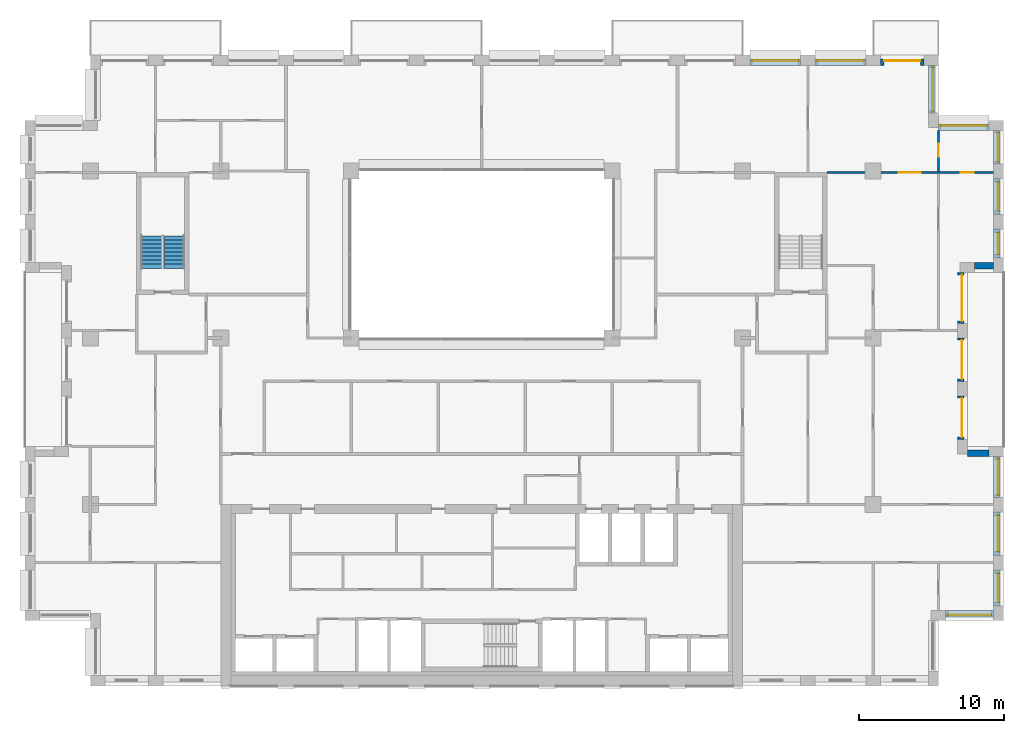
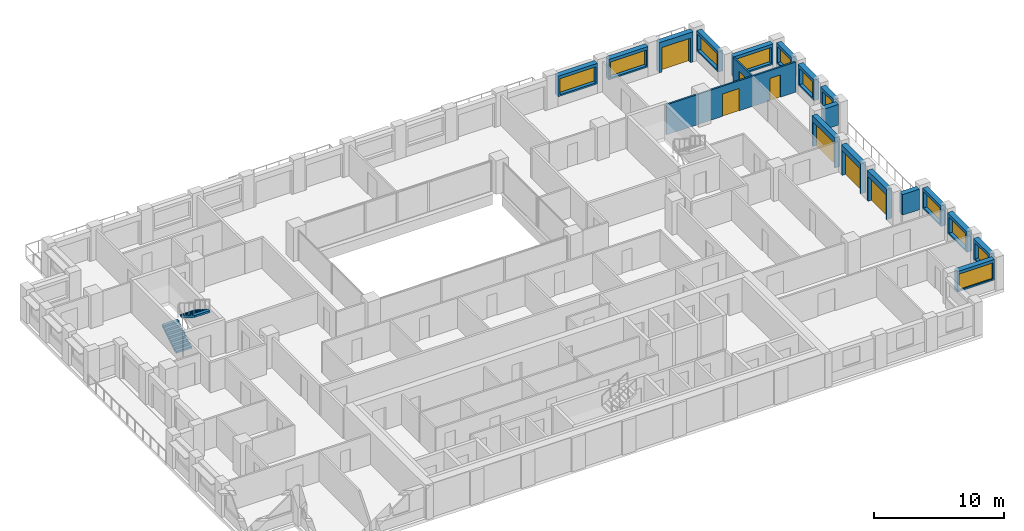
# One storey, part 14 of 16: 19 walls, 11 windows, 7 doors, 2 stair flights, 18 openings, 1 element without a shape of its own.
"""IFC4 building model written with IfcOpenShell, lengths in metres."""

from ifc_helpers import new_model, si_unit, direction, frame, frame_2d, origin, place, context, subcontext, project, spatial, polyline, rectangle, outline, extrude, material, layer, layer_set, type_object, element, fill, aggregate, save


model = new_model("IFC4")

# Units and contexts
model_context = context("Model", 3, precision=1e-05, world=origin(), true_north=direction((0.0, 1.0)))
body_context = subcontext(model_context, "Body", "Model", "MODEL_VIEW")
ifc_project = project(units=[si_unit("LENGTHUNIT", "METRE"), si_unit("AREAUNIT", "SQUARE_METRE"), si_unit("VOLUMEUNIT", "CUBIC_METRE"), si_unit("PLANEANGLEUNIT", "RADIAN"), si_unit("MASSUNIT", "GRAM", prefix="KILO")], contexts=[model_context])

# Site, building, storey
site_placement = place(None, origin())
site = spatial("IfcSite", under=ifc_project, at=site_placement, CompositionType="ELEMENT")
building_placement = place(site_placement, origin())
building = spatial("IfcBuilding", under=site, at=building_placement, Name="Brigalow Station Residences", CompositionType="ELEMENT")
storey_placement = place(building_placement, frame((0.0, 0.0, 160.199951171875)))
storey = spatial("IfcBuildingStorey", under=building, at=storey_placement, Name="L46", CompositionType="ELEMENT", Elevation=160.199951171875)

# Wall, opening, window
ifc_material_1 = material(Name="Clay brick masonry", Category="masonry")
ifc_layer_1 = layer(ifc_material_1, 0.449951171875)
ifc_layer_set_1 = layer_set([ifc_layer_1], Name="BRICK INFILL WALL 450")
wall_type_1 = type_object("IfcWallType", Name="BRICK INFILL WALL 450", PredefinedType="SOLIDWALL", material=ifc_layer_set_1)
wall_1_placement = place(storey_placement, frame((68.0, 4.97509765625, 0.900146484375), z_axis=(0.0, 0.0, 1.0), x_axis=(1.0, 0.0, 0.0)))
wall_1 = element("IfcWall", 1, at=wall_1_placement, inside=storey, type_object=wall_type_1, Name="L46/ewall/W-L46-8", PredefinedType="SOLIDWALL", context=body_context, shape_type="SweptSolid", body=[
    extrude(rectangle(XDim=3.300048828125, YDim=0.449951171875, at=frame_2d((1.64990234375, 0.0))), origin(), (0.0, 0.0, 1.0), 1.929931640625),
])
opening_1_placement = place(wall_1_placement, frame((0.14990234375, 0.0, 0.14990234375)))
opening_1 = element("IfcOpeningElement", 2, at=opening_1_placement, cuts=wall_1, Name="Opening WT-2", PredefinedType="OPENING", context=body_context, shape_type="SweptSolid", body=[
    extrude(rectangle(XDim=3.0, YDim=1.5, at=frame_2d((1.5, 0.75))), frame((0.0, 0.23486328125, 0.0), z_axis=(0.0, -1.0, 0.0), x_axis=(1.0, 0.0, 0.0)), (0.0, 0.0, 1.0), 0.469970703125),
])
ifc_material_2 = material(Name="Anodised aluminium frame with double glazing", Category="aluminium")
window_type_1 = type_object("IfcWindowType", Name="WINDOW 3000x1500", PartitioningType="SINGLE_PANEL", PredefinedType="WINDOW", material=ifc_material_2)
window_1_placement = place(opening_1_placement, origin())
window_1 = element("IfcWindow", 3, at=window_1_placement, inside=storey, type_object=window_type_1, Name="L46/window/W-L46-8", OverallHeight=1.5, OverallWidth=3.0, PartitioningType="SINGLE_PANEL", PredefinedType="WINDOW", context=body_context, shape_type="SweptSolid", body=[
    extrude(rectangle(XDim=3.0, YDim=1.5, at=frame_2d((1.5, 0.75))), frame((0.0, -0.06494140625, 0.0), z_axis=(0.0, -1.0, 0.0), x_axis=(1.0, 0.0, 0.0)), (0.0, 0.0, 1.0), 0.06005859375),
])
fill(opening_1, window_1)

wall_2_placement = place(storey_placement, frame((71.52490234375, 5.5, 0.900146484375), z_axis=(0.0, 0.0, 1.0), x_axis=(0.0, 1.0, 0.0)))
wall_2 = element("IfcWall", 4, at=wall_2_placement, inside=storey, type_object=wall_type_1, Name="L46/ewall/W-L46-9", PredefinedType="SOLIDWALL", context=body_context, shape_type="SweptSolid", body=[
    extrude(rectangle(XDim=2.5, YDim=0.449951171875, at=frame_2d((1.25, 0.0))), origin(), (0.0, 0.0, 1.0), 1.929931640625),
])
opening_2_placement = place(wall_2_placement, frame((0.25, 0.0, 0.14990234375)))
opening_2 = element("IfcOpeningElement", 5, at=opening_2_placement, cuts=wall_2, Name="Opening WT-7", PredefinedType="OPENING", context=body_context, shape_type="SweptSolid", body=[
    extrude(rectangle(XDim=2.0, YDim=1.5, at=frame_2d((1.0, 0.75))), frame((0.0, 0.23486328125, 0.0), z_axis=(0.0, -1.0, 0.0), x_axis=(1.0, 0.0, 0.0)), (0.0, 0.0, 1.0), 0.469970703125),
])
ifc_material_3 = material(Name="Anodised aluminium frame with double glazing", Category="aluminium")
window_type_2 = type_object("IfcWindowType", Name="WINDOW 2000x1500", PartitioningType="SINGLE_PANEL", PredefinedType="WINDOW", material=ifc_material_3)
window_2_placement = place(opening_2_placement, origin())
window_2 = element("IfcWindow", 6, at=window_2_placement, inside=storey, type_object=window_type_2, Name="L46/window/W-L46-9", OverallHeight=1.5, OverallWidth=2.0, PartitioningType="SINGLE_PANEL", PredefinedType="WINDOW", context=body_context, shape_type="SweptSolid", body=[
    extrude(rectangle(XDim=2.0, YDim=1.5, at=frame_2d((1.0, 0.75))), frame((0.0, -0.06494140625, 0.0), z_axis=(0.0, -1.0, 0.0), x_axis=(1.0, 0.0, 0.0)), (0.0, 0.0, 1.0), 0.06005859375),
])
fill(opening_2, window_2)

wall_3_placement = place(storey_placement, frame((71.52490234375, 9.0, 0.900146484375), z_axis=(0.0, 0.0, 1.0), x_axis=(0.0, 1.0, 0.0)))
wall_3 = element("IfcWall", 7, at=wall_3_placement, inside=storey, type_object=wall_type_1, Name="L46/ewall/W-L46-10", PredefinedType="SOLIDWALL", context=body_context, shape_type="SweptSolid", body=[
    extrude(rectangle(XDim=3.0, YDim=0.449951171875, at=frame_2d((1.5, 0.0))), origin(), (0.0, 0.0, 1.0), 1.929931640625),
])
opening_3_placement = place(wall_3_placement, frame((0.25, 0.0, 0.14990234375)))
opening_3 = element("IfcOpeningElement", 8, at=opening_3_placement, cuts=wall_3, Name="Opening WT-5", PredefinedType="OPENING", context=body_context, shape_type="SweptSolid", body=[
    extrude(rectangle(XDim=2.5, YDim=1.5, at=frame_2d((1.25, 0.75))), frame((0.0, 0.23486328125, 0.0), z_axis=(0.0, -1.0, 0.0), x_axis=(1.0, 0.0, 0.0)), (0.0, 0.0, 1.0), 0.469970703125),
])
ifc_material_4 = material(Name="Anodised aluminium frame with double glazing", Category="aluminium")
window_type_3 = type_object("IfcWindowType", Name="WINDOW 2500x1500", PartitioningType="SINGLE_PANEL", PredefinedType="WINDOW", material=ifc_material_4)
window_3_placement = place(opening_3_placement, origin())
window_3 = element("IfcWindow", 9, at=window_3_placement, inside=storey, type_object=window_type_3, Name="L46/window/W-L46-10", OverallHeight=1.5, OverallWidth=2.5, PartitioningType="SINGLE_PANEL", PredefinedType="WINDOW", context=body_context, shape_type="SweptSolid", body=[
    extrude(rectangle(XDim=2.5, YDim=1.5, at=frame_2d((1.25, 0.75))), frame((0.0, -0.06494140625, 0.0), z_axis=(0.0, -1.0, 0.0), x_axis=(1.0, 0.0, 0.0)), (0.0, 0.0, 1.0), 0.06005859375),
])
fill(opening_3, window_3)

wall_4_placement = place(storey_placement, frame((71.52490234375, 13.0, 0.900146484375), z_axis=(0.0, 0.0, 1.0), x_axis=(0.0, 1.0, 0.0)))
wall_4 = element("IfcWall", 10, at=wall_4_placement, inside=storey, type_object=wall_type_1, Name="L46/ewall/W-L46-11", PredefinedType="SOLIDWALL", context=body_context, shape_type="SweptSolid", body=[
    extrude(rectangle(XDim=2.800048828125, YDim=0.449951171875, at=frame_2d((1.39990234375, 0.0))), origin(), (0.0, 0.0, 1.0), 1.929931640625),
])
opening_4_placement = place(wall_4_placement, frame((0.14990234375, 0.0, 0.14990234375)))
opening_4 = element("IfcOpeningElement", 11, at=opening_4_placement, cuts=wall_4, Name="Opening WT-5", PredefinedType="OPENING", context=body_context, shape_type="SweptSolid", body=[
    extrude(rectangle(XDim=2.5, YDim=1.5, at=frame_2d((1.25, 0.75))), frame((0.0, 0.23486328125, 0.0), z_axis=(0.0, -1.0, 0.0), x_axis=(1.0, 0.0, 0.0)), (0.0, 0.0, 1.0), 0.469970703125),
])
window_4_placement = place(opening_4_placement, origin())
window_4 = element("IfcWindow", 12, at=window_4_placement, inside=storey, type_object=window_type_3, Name="L46/window/W-L46-11", OverallHeight=1.5, OverallWidth=2.5, PartitioningType="SINGLE_PANEL", PredefinedType="WINDOW", context=body_context, shape_type="SweptSolid", body=[
    extrude(rectangle(XDim=2.5, YDim=1.5, at=frame_2d((1.25, 0.75))), frame((0.0, -0.06494140625, 0.0), z_axis=(0.0, -1.0, 0.0), x_axis=(1.0, 0.0, 0.0)), (0.0, 0.0, 1.0), 0.06005859375),
])
fill(opening_4, window_4)

# Wall
wall_5_placement = place(storey_placement, frame((71.0, 16.02490234375, 0.900146484375), z_axis=(0.0, 0.0, 1.0), x_axis=(-1.0, 0.0, 0.0)))
element("IfcWall", 13, at=wall_5_placement, inside=storey, type_object=wall_type_1, Name="L46/ewall/W-L46-12", PredefinedType="SOLIDWALL", context=body_context, shape_type="SweptSolid", body=[
    extrude(rectangle(XDim=1.5, YDim=0.449951171875, at=frame_2d((0.75, 0.0))), origin(), (0.0, 0.0, 1.0), 1.929931640625),
])

# Wall, opening, door
wall_6_placement = place(storey_placement, frame((69.02490234375, 17.0, 0.0), z_axis=(0.0, 0.0, 1.0), x_axis=(0.0, 1.0, 0.0)))
wall_6 = element("IfcWall", 14, at=wall_6_placement, inside=storey, type_object=wall_type_1, Name="L46/ewall/W-L46-13", PredefinedType="SOLIDWALL", context=body_context, shape_type="SweptSolid", body=[
    extrude(rectangle(XDim=3.0, YDim=0.449951171875, at=frame_2d((1.5, 0.0))), origin(), (0.0, 0.0, 1.0), 2.830078125),
])
opening_5_placement = place(wall_6_placement, frame((0.14990234375, 0.0, 0.0)))
opening_5 = element("IfcOpeningElement", 15, at=opening_5_placement, cuts=wall_6, Name="Opening D-B2700", PredefinedType="OPENING", context=body_context, shape_type="SweptSolid", body=[
    extrude(rectangle(XDim=2.699951171875, YDim=2.300048828125, at=frame_2d((1.35009765625, 1.14990234375))), frame((0.0, 0.23486328125, 0.0), z_axis=(0.0, -1.0, 0.0), x_axis=(1.0, 0.0, 0.0)), (0.0, 0.0, 1.0), 0.469970703125),
])
ifc_material_5 = material(Name="Anodised aluminium frame with double glazing", Category="aluminium")
door_type_1 = type_object("IfcDoorType", Name="BALCONY SLIDING DOOR 2700x2300", OperationType="SLIDING_TO_LEFT", PredefinedType="DOOR", material=ifc_material_5)
door_1_placement = place(opening_5_placement, origin())
door_1 = element("IfcDoor", 16, at=door_1_placement, inside=storey, type_object=door_type_1, Name="L46/balcony-door/W-L46-13", OperationType="SLIDING_TO_LEFT", OverallHeight=2.300048828125, OverallWidth=2.699951171875, PredefinedType="DOOR", context=body_context, shape_type="SweptSolid", body=[
    extrude(rectangle(XDim=2.699951171875, YDim=2.300048828125, at=frame_2d((1.35009765625, 1.14990234375))), frame((0.0, -0.06982421875, 0.0), z_axis=(0.0, -1.0, 0.0), x_axis=(1.0, 0.0, 0.0)), (0.0, 0.0, 1.0), 0.050048828125),
])
fill(opening_5, door_1)

wall_7_placement = place(storey_placement, frame((69.02490234375, 21.0, 0.0), z_axis=(0.0, 0.0, 1.0), x_axis=(0.0, 1.0, 0.0)))
wall_7 = element("IfcWall", 17, at=wall_7_placement, inside=storey, type_object=wall_type_1, Name="L46/ewall/W-L46-14", PredefinedType="SOLIDWALL", context=body_context, shape_type="SweptSolid", body=[
    extrude(rectangle(XDim=3.0, YDim=0.449951171875, at=frame_2d((1.5, 0.0))), origin(), (0.0, 0.0, 1.0), 2.830078125),
])
opening_6_placement = place(wall_7_placement, frame((0.14990234375, 0.0, 0.0)))
opening_6 = element("IfcOpeningElement", 18, at=opening_6_placement, cuts=wall_7, Name="Opening D-B2700", PredefinedType="OPENING", context=body_context, shape_type="SweptSolid", body=[
    extrude(rectangle(XDim=2.699951171875, YDim=2.300048828125, at=frame_2d((1.35009765625, 1.14990234375))), frame((0.0, 0.23486328125, 0.0), z_axis=(0.0, -1.0, 0.0), x_axis=(1.0, 0.0, 0.0)), (0.0, 0.0, 1.0), 0.469970703125),
])
door_2_placement = place(opening_6_placement, origin())
door_2 = element("IfcDoor", 19, at=door_2_placement, inside=storey, type_object=door_type_1, Name="L46/balcony-door/W-L46-14", OperationType="SLIDING_TO_LEFT", OverallHeight=2.300048828125, OverallWidth=2.699951171875, PredefinedType="DOOR", context=body_context, shape_type="SweptSolid", body=[
    extrude(rectangle(XDim=2.699951171875, YDim=2.300048828125, at=frame_2d((1.35009765625, 1.14990234375))), frame((0.0, -0.06982421875, 0.0), z_axis=(0.0, -1.0, 0.0), x_axis=(1.0, 0.0, 0.0)), (0.0, 0.0, 1.0), 0.050048828125),
])
fill(opening_6, door_2)

wall_8_placement = place(storey_placement, frame((69.02490234375, 25.0, 0.0), z_axis=(0.0, 0.0, 1.0), x_axis=(0.0, 1.0, 0.0)))
wall_8 = element("IfcWall", 20, at=wall_8_placement, inside=storey, type_object=wall_type_1, Name="L46/ewall/W-L46-15", PredefinedType="SOLIDWALL", context=body_context, shape_type="SweptSolid", body=[
    extrude(rectangle(XDim=3.5, YDim=0.449951171875, at=frame_2d((1.75, 0.0))), origin(), (0.0, 0.0, 1.0), 2.830078125),
])
opening_7_placement = place(wall_8_placement, frame((0.14990234375, 0.0, 0.0)))
opening_7 = element("IfcOpeningElement", 21, at=opening_7_placement, cuts=wall_8, Name="Opening D-B3200", PredefinedType="OPENING", context=body_context, shape_type="SweptSolid", body=[
    extrude(rectangle(XDim=3.199951171875, YDim=2.300048828125, at=frame_2d((1.60009765625, 1.14990234375))), frame((0.0, 0.23486328125, 0.0), z_axis=(0.0, -1.0, 0.0), x_axis=(1.0, 0.0, 0.0)), (0.0, 0.0, 1.0), 0.469970703125),
])
ifc_material_6 = material(Name="Anodised aluminium frame with double glazing", Category="aluminium")
door_type_2 = type_object("IfcDoorType", Name="BALCONY SLIDING DOOR 3200x2300", OperationType="SLIDING_TO_LEFT", PredefinedType="DOOR", material=ifc_material_6)
door_3_placement = place(opening_7_placement, origin())
door_3 = element("IfcDoor", 22, at=door_3_placement, inside=storey, type_object=door_type_2, Name="L46/balcony-door/W-L46-15", OperationType="SLIDING_TO_LEFT", OverallHeight=2.300048828125, OverallWidth=3.199951171875, PredefinedType="DOOR", context=body_context, shape_type="SweptSolid", body=[
    extrude(rectangle(XDim=3.199951171875, YDim=2.300048828125, at=frame_2d((1.60009765625, 1.14990234375))), frame((0.0, -0.06982421875, 0.0), z_axis=(0.0, -1.0, 0.0), x_axis=(1.0, 0.0, 0.0)), (0.0, 0.0, 1.0), 0.050048828125),
])
fill(opening_7, door_3)

# Wall
wall_9_placement = place(storey_placement, frame((70.0, 28.97509765625, 0.900146484375), z_axis=(0.0, 0.0, 1.0), x_axis=(1.0, 0.0, 0.0)))
element("IfcWall", 23, at=wall_9_placement, inside=storey, type_object=wall_type_1, Name="L46/ewall/W-L46-16", PredefinedType="SOLIDWALL", context=body_context, shape_type="SweptSolid", body=[
    extrude(rectangle(XDim=1.300048828125, YDim=0.449951171875, at=frame_2d((0.64990234375, 0.0))), origin(), (0.0, 0.0, 1.0), 1.929931640625),
])

# Wall, opening, window
wall_10_placement = place(storey_placement, frame((71.52490234375, 29.5, 0.900146484375), z_axis=(0.0, 0.0, 1.0), x_axis=(0.0, 1.0, 0.0)))
wall_10 = element("IfcWall", 24, at=wall_10_placement, inside=storey, type_object=wall_type_1, Name="L46/ewall/W-L46-17", PredefinedType="SOLIDWALL", context=body_context, shape_type="SweptSolid", body=[
    extrude(rectangle(XDim=2.0, YDim=0.449951171875, at=frame_2d((1.0, 0.0))), origin(), (0.0, 0.0, 1.0), 1.929931640625),
])
opening_8_placement = place(wall_10_placement, frame((0.25, 0.0, 0.14990234375)))
opening_8 = element("IfcOpeningElement", 25, at=opening_8_placement, cuts=wall_10, Name="Opening WT-1", PredefinedType="OPENING", context=body_context, shape_type="SweptSolid", body=[
    extrude(rectangle(XDim=1.5, YDim=1.5, at=frame_2d((0.75, 0.75))), frame((0.0, 0.23486328125, 0.0), z_axis=(0.0, -1.0, 0.0), x_axis=(1.0, 0.0, 0.0)), (0.0, 0.0, 1.0), 0.469970703125),
])
ifc_material_7 = material(Name="Anodised aluminium frame with double glazing", Category="aluminium")
window_type_4 = type_object("IfcWindowType", Name="WINDOW 1500x1500", PartitioningType="SINGLE_PANEL", PredefinedType="WINDOW", material=ifc_material_7)
window_5_placement = place(opening_8_placement, origin())
window_5 = element("IfcWindow", 26, at=window_5_placement, inside=storey, type_object=window_type_4, Name="L46/window/W-L46-17", OverallHeight=1.5, OverallWidth=1.5, PartitioningType="SINGLE_PANEL", PredefinedType="WINDOW", context=body_context, shape_type="SweptSolid", body=[
    extrude(rectangle(XDim=1.5, YDim=1.5, at=frame_2d((0.75, 0.75))), frame((0.0, -0.06494140625, 0.0), z_axis=(0.0, -1.0, 0.0), x_axis=(1.0, 0.0, 0.0)), (0.0, 0.0, 1.0), 0.06005859375),
])
fill(opening_8, window_5)

wall_11_placement = place(storey_placement, frame((71.52490234375, 32.5, 0.900146484375), z_axis=(0.0, 0.0, 1.0), x_axis=(0.0, 1.0, 0.0)))
wall_11 = element("IfcWall", 27, at=wall_11_placement, inside=storey, type_object=wall_type_1, Name="L46/ewall/W-L46-18", PredefinedType="SOLIDWALL", context=body_context, shape_type="SweptSolid", body=[
    extrude(rectangle(XDim=2.5, YDim=0.449951171875, at=frame_2d((1.25, 0.0))), origin(), (0.0, 0.0, 1.0), 1.929931640625),
])
opening_9_placement = place(wall_11_placement, frame((0.25, 0.0, 0.14990234375)))
opening_9 = element("IfcOpeningElement", 28, at=opening_9_placement, cuts=wall_11, Name="Opening WT-7", PredefinedType="OPENING", context=body_context, shape_type="SweptSolid", body=[
    extrude(rectangle(XDim=2.0, YDim=1.5, at=frame_2d((1.0, 0.75))), frame((0.0, 0.23486328125, 0.0), z_axis=(0.0, -1.0, 0.0), x_axis=(1.0, 0.0, 0.0)), (0.0, 0.0, 1.0), 0.469970703125),
])
window_6_placement = place(opening_9_placement, origin())
window_6 = element("IfcWindow", 29, at=window_6_placement, inside=storey, type_object=window_type_2, Name="L46/window/W-L46-18", OverallHeight=1.5, OverallWidth=2.0, PartitioningType="SINGLE_PANEL", PredefinedType="WINDOW", context=body_context, shape_type="SweptSolid", body=[
    extrude(rectangle(XDim=2.0, YDim=1.5, at=frame_2d((1.0, 0.75))), frame((0.0, -0.06494140625, 0.0), z_axis=(0.0, -1.0, 0.0), x_axis=(1.0, 0.0, 0.0)), (0.0, 0.0, 1.0), 0.06005859375),
])
fill(opening_9, window_6)

wall_12_placement = place(storey_placement, frame((71.52490234375, 36.0, 0.900146484375), z_axis=(0.0, 0.0, 1.0), x_axis=(0.0, 1.0, 0.0)))
wall_12 = element("IfcWall", 30, at=wall_12_placement, inside=storey, type_object=wall_type_1, Name="L46/ewall/W-L46-19", PredefinedType="SOLIDWALL", context=body_context, shape_type="SweptSolid", body=[
    extrude(rectangle(XDim=2.300048828125, YDim=0.449951171875, at=frame_2d((1.14990234375, 0.0))), origin(), (0.0, 0.0, 1.0), 1.929931640625),
])
opening_10_placement = place(wall_12_placement, frame((0.14990234375, 0.0, 0.14990234375)))
opening_10 = element("IfcOpeningElement", 31, at=opening_10_placement, cuts=wall_12, Name="Opening WT-7", PredefinedType="OPENING", context=body_context, shape_type="SweptSolid", body=[
    extrude(rectangle(XDim=2.0, YDim=1.5, at=frame_2d((1.0, 0.75))), frame((0.0, 0.23486328125, 0.0), z_axis=(0.0, -1.0, 0.0), x_axis=(1.0, 0.0, 0.0)), (0.0, 0.0, 1.0), 0.469970703125),
])
window_7_placement = place(opening_10_placement, origin())
window_7 = element("IfcWindow", 32, at=window_7_placement, inside=storey, type_object=window_type_2, Name="L46/window/W-L46-19", OverallHeight=1.5, OverallWidth=2.0, PartitioningType="SINGLE_PANEL", PredefinedType="WINDOW", context=body_context, shape_type="SweptSolid", body=[
    extrude(rectangle(XDim=2.0, YDim=1.5, at=frame_2d((1.0, 0.75))), frame((0.0, -0.06494140625, 0.0), z_axis=(0.0, -1.0, 0.0), x_axis=(1.0, 0.0, 0.0)), (0.0, 0.0, 1.0), 0.06005859375),
])
fill(opening_10, window_7)

wall_13_placement = place(storey_placement, frame((71.0, 38.52490234375, 0.900146484375), z_axis=(0.0, 0.0, 1.0), x_axis=(-1.0, 0.0, 0.0)))
wall_13 = element("IfcWall", 33, at=wall_13_placement, inside=storey, type_object=wall_type_1, Name="L46/ewall/W-L46-20", PredefinedType="SOLIDWALL", context=body_context, shape_type="SweptSolid", body=[
    extrude(rectangle(XDim=3.5, YDim=0.449951171875, at=frame_2d((1.75, 0.0))), origin(), (0.0, 0.0, 1.0), 1.929931640625),
])
opening_11_placement = place(wall_13_placement, frame((0.14990234375, 0.0, 0.14990234375)))
opening_11 = element("IfcOpeningElement", 34, at=opening_11_placement, cuts=wall_13, Name="Opening WT-9", PredefinedType="OPENING", context=body_context, shape_type="SweptSolid", body=[
    extrude(rectangle(XDim=3.199951171875, YDim=1.5, at=frame_2d((1.60009765625, 0.75))), frame((0.0, 0.23486328125, 0.0), z_axis=(0.0, -1.0, 0.0), x_axis=(1.0, 0.0, 0.0)), (0.0, 0.0, 1.0), 0.469970703125),
])
ifc_material_8 = material(Name="Anodised aluminium frame with double glazing", Category="aluminium")
window_type_5 = type_object("IfcWindowType", Name="WINDOW 3200x1500", PartitioningType="SINGLE_PANEL", PredefinedType="WINDOW", material=ifc_material_8)
window_8_placement = place(opening_11_placement, origin())
window_8 = element("IfcWindow", 35, at=window_8_placement, inside=storey, type_object=window_type_5, Name="L46/window/W-L46-20", OverallHeight=1.5, OverallWidth=3.199951171875, PartitioningType="SINGLE_PANEL", PredefinedType="WINDOW", context=body_context, shape_type="SweptSolid", body=[
    extrude(rectangle(XDim=3.199951171875, YDim=1.5, at=frame_2d((1.60009765625, 0.75))), frame((0.0, -0.06494140625, 0.0), z_axis=(0.0, -1.0, 0.0), x_axis=(1.0, 0.0, 0.0)), (0.0, 0.0, 1.0), 0.06005859375),
])
fill(opening_11, window_8)

wall_14_placement = place(storey_placement, frame((67.02490234375, 39.5, 0.900146484375), z_axis=(0.0, 0.0, 1.0), x_axis=(0.0, 1.0, 0.0)))
wall_14 = element("IfcWall", 36, at=wall_14_placement, inside=storey, type_object=wall_type_1, Name="L46/ewall/W-L46-21", PredefinedType="SOLIDWALL", context=body_context, shape_type="SweptSolid", body=[
    extrude(rectangle(XDim=3.300048828125, YDim=0.449951171875, at=frame_2d((1.64990234375, 0.0))), origin(), (0.0, 0.0, 1.0), 1.929931640625),
])
opening_12_placement = place(wall_14_placement, frame((0.14990234375, 0.0, 0.14990234375)))
opening_12 = element("IfcOpeningElement", 37, at=opening_12_placement, cuts=wall_14, Name="Opening WT-2", PredefinedType="OPENING", context=body_context, shape_type="SweptSolid", body=[
    extrude(rectangle(XDim=3.0, YDim=1.5, at=frame_2d((1.5, 0.75))), frame((0.0, 0.23486328125, 0.0), z_axis=(0.0, -1.0, 0.0), x_axis=(1.0, 0.0, 0.0)), (0.0, 0.0, 1.0), 0.469970703125),
])
window_9_placement = place(opening_12_placement, origin())
window_9 = element("IfcWindow", 38, at=window_9_placement, inside=storey, type_object=window_type_1, Name="L46/window/W-L46-21", OverallHeight=1.5, OverallWidth=3.0, PartitioningType="SINGLE_PANEL", PredefinedType="WINDOW", context=body_context, shape_type="SweptSolid", body=[
    extrude(rectangle(XDim=3.0, YDim=1.5, at=frame_2d((1.5, 0.75))), frame((0.0, -0.06494140625, 0.0), z_axis=(0.0, -1.0, 0.0), x_axis=(1.0, 0.0, 0.0)), (0.0, 0.0, 1.0), 0.06005859375),
])
fill(opening_12, window_9)

# Wall, opening, door
wall_15_placement = place(storey_placement, frame((66.5, 43.02490234375, 0.0), z_axis=(0.0, 0.0, 1.0), x_axis=(-1.0, 0.0, 0.0)))
wall_15 = element("IfcWall", 39, at=wall_15_placement, inside=storey, type_object=wall_type_1, Name="L46/ewall/W-L46-22", PredefinedType="SOLIDWALL", context=body_context, shape_type="SweptSolid", body=[
    extrude(rectangle(XDim=3.0, YDim=0.449951171875, at=frame_2d((1.5, 0.0))), origin(), (0.0, 0.0, 1.0), 2.830078125),
])
opening_13_placement = place(wall_15_placement, frame((0.25, 0.0, 0.0)))
opening_13 = element("IfcOpeningElement", 40, at=opening_13_placement, cuts=wall_15, Name="Opening D-B2500", PredefinedType="OPENING", context=body_context, shape_type="SweptSolid", body=[
    extrude(rectangle(XDim=2.5, YDim=2.300048828125, at=frame_2d((1.25, 1.14990234375))), frame((0.0, 0.23486328125, 0.0), z_axis=(0.0, -1.0, 0.0), x_axis=(1.0, 0.0, 0.0)), (0.0, 0.0, 1.0), 0.469970703125),
])
ifc_material_9 = material(Name="Anodised aluminium frame with double glazing", Category="aluminium")
door_type_3 = type_object("IfcDoorType", Name="BALCONY SLIDING DOOR 2500x2300", OperationType="SLIDING_TO_LEFT", PredefinedType="DOOR", material=ifc_material_9)
door_4_placement = place(opening_13_placement, origin())
door_4 = element("IfcDoor", 41, at=door_4_placement, inside=storey, type_object=door_type_3, Name="L46/balcony-door/W-L46-22", OperationType="SLIDING_TO_LEFT", OverallHeight=2.300048828125, OverallWidth=2.5, PredefinedType="DOOR", context=body_context, shape_type="SweptSolid", body=[
    extrude(rectangle(XDim=2.5, YDim=2.300048828125, at=frame_2d((1.25, 1.14990234375))), frame((0.0, -0.06982421875, 0.0), z_axis=(0.0, -1.0, 0.0), x_axis=(1.0, 0.0, 0.0)), (0.0, 0.0, 1.0), 0.050048828125),
])
fill(opening_13, door_4)

# Wall, opening, window
wall_16_placement = place(storey_placement, frame((62.5, 43.02490234375, 0.900146484375), z_axis=(0.0, 0.0, 1.0), x_axis=(-1.0, 0.0, 0.0)))
wall_16 = element("IfcWall", 42, at=wall_16_placement, inside=storey, type_object=wall_type_1, Name="L46/ewall/W-L46-23", PredefinedType="SOLIDWALL", context=body_context, shape_type="SweptSolid", body=[
    extrude(rectangle(XDim=3.5, YDim=0.449951171875, at=frame_2d((1.75, 0.0))), origin(), (0.0, 0.0, 1.0), 1.929931640625),
])
opening_14_placement = place(wall_16_placement, frame((0.14990234375, 0.0, 0.14990234375)))
opening_14 = element("IfcOpeningElement", 43, at=opening_14_placement, cuts=wall_16, Name="Opening WT-9", PredefinedType="OPENING", context=body_context, shape_type="SweptSolid", body=[
    extrude(rectangle(XDim=3.199951171875, YDim=1.5, at=frame_2d((1.60009765625, 0.75))), frame((0.0, 0.23486328125, 0.0), z_axis=(0.0, -1.0, 0.0), x_axis=(1.0, 0.0, 0.0)), (0.0, 0.0, 1.0), 0.469970703125),
])
window_10_placement = place(opening_14_placement, origin())
window_10 = element("IfcWindow", 44, at=window_10_placement, inside=storey, type_object=window_type_5, Name="L46/window/W-L46-23", OverallHeight=1.5, OverallWidth=3.199951171875, PartitioningType="SINGLE_PANEL", PredefinedType="WINDOW", context=body_context, shape_type="SweptSolid", body=[
    extrude(rectangle(XDim=3.199951171875, YDim=1.5, at=frame_2d((1.60009765625, 0.75))), frame((0.0, -0.06494140625, 0.0), z_axis=(0.0, -1.0, 0.0), x_axis=(1.0, 0.0, 0.0)), (0.0, 0.0, 1.0), 0.06005859375),
])
fill(opening_14, window_10)

wall_17_placement = place(storey_placement, frame((58.0, 43.02490234375, 0.900146484375), z_axis=(0.0, 0.0, 1.0), x_axis=(-1.0, 0.0, 0.0)))
wall_17 = element("IfcWall", 45, at=wall_17_placement, inside=storey, type_object=wall_type_1, Name="L46/ewall/W-L46-24", PredefinedType="SOLIDWALL", context=body_context, shape_type="SweptSolid", body=[
    extrude(rectangle(XDim=3.5, YDim=0.449951171875, at=frame_2d((1.75, 0.0))), origin(), (0.0, 0.0, 1.0), 1.929931640625),
])
opening_15_placement = place(wall_17_placement, frame((0.14990234375, 0.0, 0.14990234375)))
opening_15 = element("IfcOpeningElement", 46, at=opening_15_placement, cuts=wall_17, Name="Opening WT-9", PredefinedType="OPENING", context=body_context, shape_type="SweptSolid", body=[
    extrude(rectangle(XDim=3.199951171875, YDim=1.5, at=frame_2d((1.60009765625, 0.75))), frame((0.0, 0.23486328125, 0.0), z_axis=(0.0, -1.0, 0.0), x_axis=(1.0, 0.0, 0.0)), (0.0, 0.0, 1.0), 0.469970703125),
])
window_11_placement = place(opening_15_placement, origin())
window_11 = element("IfcWindow", 47, at=window_11_placement, inside=storey, type_object=window_type_5, Name="L46/window/W-L46-24", OverallHeight=1.5, OverallWidth=3.199951171875, PartitioningType="SINGLE_PANEL", PredefinedType="WINDOW", context=body_context, shape_type="SweptSolid", body=[
    extrude(rectangle(XDim=3.199951171875, YDim=1.5, at=frame_2d((1.60009765625, 0.75))), frame((0.0, -0.06494140625, 0.0), z_axis=(0.0, -1.0, 0.0), x_axis=(1.0, 0.0, 0.0)), (0.0, 0.0, 1.0), 0.06005859375),
])
fill(opening_15, window_11)

# Wall, openings, doors
ifc_material_10 = material(Name="Plasterboard on steel stud partition", Category="steel")
ifc_layer_2 = layer(ifc_material_10, 0.14990234375)
ifc_layer_set_2 = layer_set([ifc_layer_2], Name="FLAT PARTITION 150")
wall_type_2 = type_object("IfcWallType", Name="FLAT PARTITION 150", PredefinedType="PARTITIONING", material=ifc_layer_set_2)
wall_18_placement = place(storey_placement, frame((59.800048828125, 35.39990234375, 0.0), z_axis=(0.0, 0.0, 1.0), x_axis=(1.0, 0.0, 0.0)))
wall_18 = element("IfcWall", 48, at=wall_18_placement, inside=storey, type_object=wall_type_2, Name="PW-3C19", PredefinedType="PARTITIONING", context=body_context, shape_type="SweptSolid", body=[
    extrude(rectangle(XDim=11.5, YDim=0.14990234375, at=frame_2d((5.75, 0.0))), origin(), (0.0, 0.0, 1.0), 2.830078125),
])
opening_16_placement = place(wall_18_placement, frame((4.97509765625, 0.0, 0.0)))
opening_16 = element("IfcOpeningElement", 49, at=opening_16_placement, cuts=wall_18, Name="Opening D-3C26", PredefinedType="OPENING", context=body_context, shape_type="SweptSolid", body=[
    extrude(rectangle(XDim=1.5, YDim=2.10009765625, at=frame_2d((0.75, 1.050048828125))), frame((0.0, 0.0849609375, 0.0), z_axis=(0.0, -1.0, 0.0), x_axis=(1.0, 0.0, 0.0)), (0.0, 0.0, 1.0), 0.169921875),
])
opening_17_placement = place(wall_18_placement, frame((9.22509765625, 0.0, 0.0)))
opening_17 = element("IfcOpeningElement", 50, at=opening_17_placement, cuts=wall_18, Name="Opening D-3C30", PredefinedType="OPENING", context=body_context, shape_type="SweptSolid", body=[
    extrude(rectangle(XDim=0.89990234375, YDim=2.10009765625, at=frame_2d((0.449951171875, 1.050048828125))), frame((0.0, 0.0849609375, 0.0), z_axis=(0.0, -1.0, 0.0), x_axis=(1.0, 0.0, 0.0)), (0.0, 0.0, 1.0), 0.169921875),
])
ifc_material_11 = material(Name="Solid-core timber door leaf", Category="wood")
door_type_4 = type_object("IfcDoorType", Name="INTERNAL DOOR 900 x 2100", OperationType="SINGLE_SWING_LEFT", PredefinedType="DOOR", material=ifc_material_11)
door_5_placement = place(opening_17_placement, origin())
door_5 = element("IfcDoor", 51, at=door_5_placement, inside=storey, type_object=door_type_4, Name="D-3C30", OperationType="SINGLE_SWING_RIGHT", OverallHeight=2.10009765625, OverallWidth=0.89990234375, PredefinedType="DOOR", context=body_context, shape_type="SweptSolid", body=[
    extrude(rectangle(XDim=0.89990234375, YDim=2.10009765625, at=frame_2d((0.449951171875, 1.050048828125))), frame((0.0, 0.02490234375, 0.0), z_axis=(0.0, -1.0, 0.0), x_axis=(1.0, 0.0, 0.0)), (0.0, 0.0, 1.0), 0.050048828125),
])
fill(opening_17, door_5)
ifc_material_12 = material(Name="Solid-core timber door leaf", Category="wood")
door_type_5 = type_object("IfcDoorType", Name="INTERNAL DOUBLE DOOR 1500 x 2100", OperationType="DOUBLE_DOOR_SINGLE_SWING", PredefinedType="DOOR", material=ifc_material_12)
door_6_placement = place(opening_16_placement, origin())
door_6 = element("IfcDoor", 52, at=door_6_placement, inside=storey, type_object=door_type_5, Name="D-3C26", OperationType="DOUBLE_DOOR_SINGLE_SWING", OverallHeight=2.10009765625, OverallWidth=1.5, PredefinedType="DOOR", context=body_context, shape_type="SweptSolid", body=[
    extrude(rectangle(XDim=1.5, YDim=2.10009765625, at=frame_2d((0.75, 1.050048828125))), frame((0.0, 0.02490234375, 0.0), z_axis=(0.0, -1.0, 0.0), x_axis=(1.0, 0.0, 0.0)), (0.0, 0.0, 1.0), 0.050048828125),
])
fill(opening_16, door_6)

# Wall, opening, door
wall_19_placement = place(storey_placement, frame((67.5, 35.47509765625, 0.0), z_axis=(0.0, 0.0, 1.0), x_axis=(0.0, 1.0, 0.0)))
wall_19 = element("IfcWall", 53, at=wall_19_placement, inside=storey, type_object=wall_type_2, Name="PW-3C47", PredefinedType="PARTITIONING", context=body_context, shape_type="SweptSolid", body=[
    extrude(rectangle(XDim=2.824951171875, YDim=0.14990234375, at=frame_2d((1.41259765625, 0.0))), origin(), (0.0, 0.0, 1.0), 2.830078125),
])
opening_18_placement = place(wall_19_placement, frame((1.0, 0.0, 0.0)))
opening_18 = element("IfcOpeningElement", 54, at=opening_18_placement, cuts=wall_19, Name="Opening D-3C29", PredefinedType="OPENING", context=body_context, shape_type="SweptSolid", body=[
    extrude(rectangle(XDim=0.89990234375, YDim=2.10009765625, at=frame_2d((0.449951171875, 1.050048828125))), frame((0.0, 0.0849609375, 0.0), z_axis=(0.0, -1.0, 0.0), x_axis=(1.0, 0.0, 0.0)), (0.0, 0.0, 1.0), 0.169921875),
])
door_7_placement = place(opening_18_placement, frame((0.89990234375, 0.0, 0.0), z_axis=(0.0, 0.0, 1.0), x_axis=(-1.0, 0.0, 0.0)))
door_7 = element("IfcDoor", 55, at=door_7_placement, inside=storey, type_object=door_type_4, Name="D-3C29", OperationType="SINGLE_SWING_LEFT", OverallHeight=2.10009765625, OverallWidth=0.89990234375, PredefinedType="DOOR", context=body_context, shape_type="SweptSolid", body=[
    extrude(rectangle(XDim=0.89990234375, YDim=2.10009765625, at=frame_2d((0.449951171875, 1.050048828125))), frame((0.0, 0.02490234375, 0.0), z_axis=(0.0, -1.0, 0.0), x_axis=(1.0, 0.0, 0.0)), (0.0, 0.0, 1.0), 0.050048828125),
])
fill(opening_18, door_7)

# Stair, stair flights
ifc_material_13 = material(Name="Concrete C50", Category="concrete")
stair_type = type_object("IfcStairType", Name="EXIT STAIR 1400 2 FLIGHT", PredefinedType="HALF_TURN_STAIR", material=ifc_material_13)
stair_placement = place(storey_placement, origin())
stair = element("IfcStair", 56, at=stair_placement, inside=storey, type_object=stair_type, Name="EXIT STAIR S1 L46", PredefinedType="HALF_TURN_STAIR")
ifc_material_14 = material(Name="Concrete C50", Category="concrete")
stair_flight_type = type_object("IfcStairFlightType", Name="STAIR FLIGHT 1400", PredefinedType="STRAIGHT", material=ifc_material_14)
stair_flight_1_placement = place(storey_placement, frame((13.199951171875, 28.800048828125, 0.0), z_axis=(0.0, 0.0, 1.0), x_axis=(0.0, 1.0, 0.0)))
stair_flight_1 = element("IfcStairFlight", 57, at=stair_flight_1_placement, type_object=stair_flight_type, Name="ST-1 flight 1", NumberOfRisers=9, NumberOfTreads=8, PredefinedType="STRAIGHT", RiserHeight=0.175, TreadLength=0.28, context=body_context, shape_type="SweptSolid", body=[
    extrude(outline(polyline([(0.0, 0.0), (0.0, 0.175048828125), (0.280029296875, 0.175048828125), (0.280029296875, 0.35009765625), (0.56005859375, 0.35009765625), (0.56005859375, 0.52490234375), (0.840087890625, 0.52490234375), (0.840087890625, 0.699951171875), (1.1201171875, 0.699951171875), (1.1201171875, 0.875), (1.39990234375, 0.875), (1.39990234375, 1.050048828125), (1.679931640625, 1.050048828125), (1.679931640625, 1.22509765625), (1.9599609375, 1.22509765625), (1.9599609375, 1.39990234375), (2.239990234375, 1.39990234375), (2.239990234375, 1.574951171875), (2.239990234375, 1.22314453125), (0.28271484375, 0.0), (0.0, 0.0)])), frame((0.0, 0.699951171875, 0.0), z_axis=(0.0, -1.0, 0.0), x_axis=(1.0, 0.0, 0.0)), (0.0, 0.0, 1.0), 1.39990234375),
])
stair_flight_2_placement = place(storey_placement, frame((14.800048828125, 31.0400390625, 1.574951171875), z_axis=(0.0, 0.0, 1.0), x_axis=(0.0, -1.0, 0.0)))
stair_flight_2 = element("IfcStairFlight", 58, at=stair_flight_2_placement, type_object=stair_flight_type, Name="ST-1 flight 2", NumberOfRisers=9, NumberOfTreads=8, PredefinedType="STRAIGHT", RiserHeight=0.175, TreadLength=0.28, context=body_context, shape_type="SweptSolid", body=[
    extrude(outline(polyline([(0.0, 0.0), (0.0, 0.175048828125), (0.280029296875, 0.175048828125), (0.280029296875, 0.35009765625), (0.56005859375, 0.35009765625), (0.56005859375, 0.52490234375), (0.840087890625, 0.52490234375), (0.840087890625, 0.699951171875), (1.1201171875, 0.699951171875), (1.1201171875, 0.875), (1.39990234375, 0.875), (1.39990234375, 1.050048828125), (1.679931640625, 1.050048828125), (1.679931640625, 1.22509765625), (1.9599609375, 1.22509765625), (1.9599609375, 1.39990234375), (2.239990234375, 1.39990234375), (2.239990234375, 1.574951171875), (2.239990234375, 1.22314453125), (0.28271484375, 0.0), (0.0, 0.0)])), frame((0.0, 0.699951171875, 0.0), z_axis=(0.0, -1.0, 0.0), x_axis=(1.0, 0.0, 0.0)), (0.0, 0.0, 1.0), 1.39990234375),
])
aggregate(stair, [stair_flight_1, stair_flight_2])

save(model, "model.ifc")
